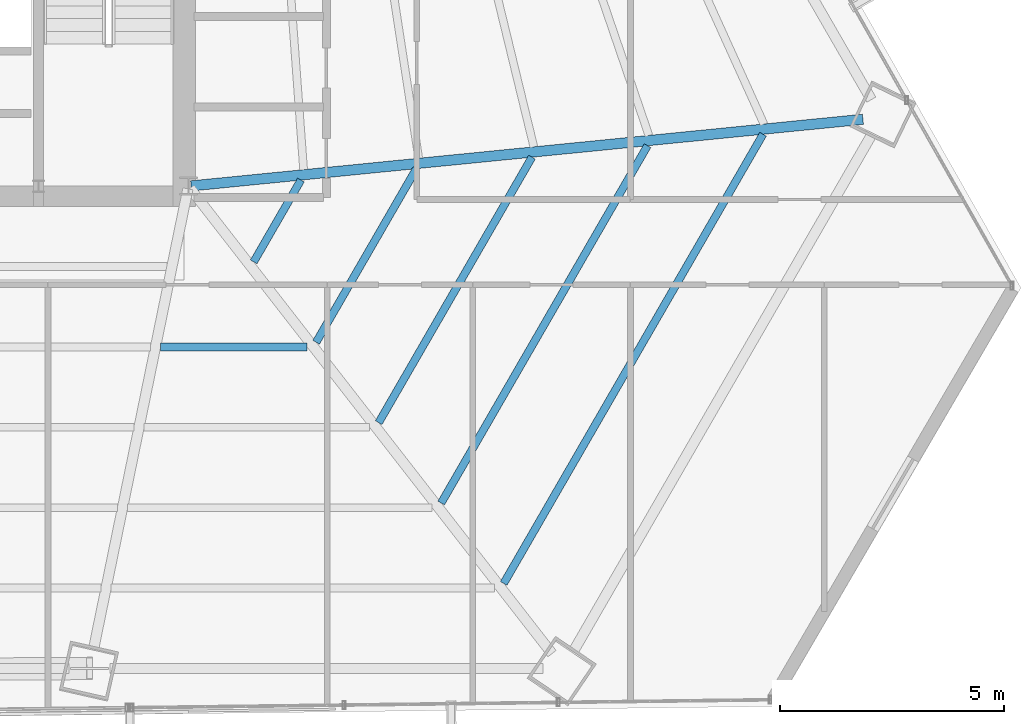
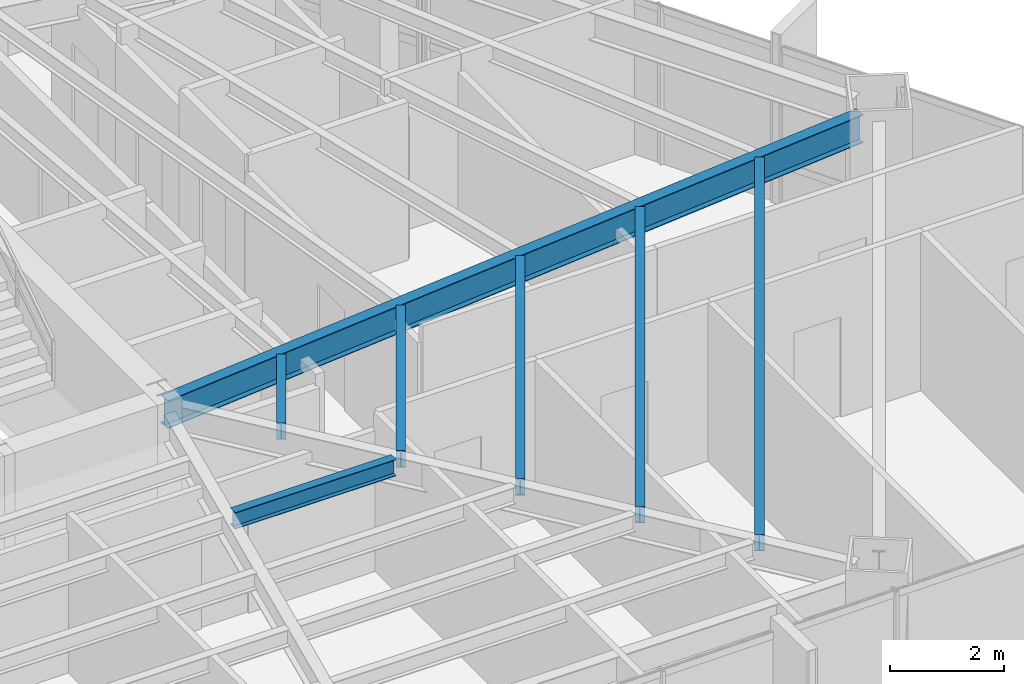
# One storey, part 19 of 37: 7 beams.
"""IFC4 building model written with IfcOpenShell, lengths in metres."""

import ifcopenshell
import ifcopenshell.guid

model = None  # the IFC model being written
_history = None  # IfcOwnerHistory: only IFC2X3 demands one
_inside = {}  # id of a spatial element -> (the spatial element, [elements in it])
_under = {}  # id of a project, library or spatial element -> (it, [spatial elements below it])
_declared = {}  # id of a project -> (the project, [libraries it declares])
_typed = {}  # id of a type object -> (the type object, [elements of that type])
_made_of = {}  # id of a material, layer set ... -> (it, [elements and type objects made of it])


def new_model(schema):
    """Start an empty IFC model of exactly this schema.

    Asked for "IFC4X3", IfcOpenShell would pick the latest addendum, in which some entities
    have other attributes; the version numbers below select the first issue.
    IFC2X3 requires an IfcOwnerHistory on every rooted entity: one is made here for all.
    """
    global model, _history
    if schema == "IFC4X3":
        model = ifcopenshell.file(schema_version=(4, 3, 0, 0))
    else:
        model = ifcopenshell.file(schema=schema)
    _inside.clear()
    _under.clear()
    _declared.clear()
    _typed.clear()
    _made_of.clear()
    _history = None
    if model.schema == "IFC2X3":
        org = make("IfcOrganization", Name="unknown")
        user = make(
            "IfcPersonAndOrganization",
            ThePerson=make("IfcPerson", FamilyName="unknown"),
            TheOrganization=org,
        )
        app = make(
            "IfcApplication",
            ApplicationDeveloper=org,
            Version="unknown",
            ApplicationFullName="unknown",
            ApplicationIdentifier="unknown",
        )
        _history = make(
            "IfcOwnerHistory",
            OwningUser=user,
            OwningApplication=app,
            ChangeAction="ADDED",
            CreationDate=0,
        )
    return model


def make(cls, **values):
    """One entity of the class cls with the attributes given. An attribute that is None is left unset."""
    return model.create_entity(
        cls, **{name: value for name, value in values.items() if value is not None}
    )


def rooted(cls, **values):
    """An entity with a GlobalId (a new one), such as an element, a storey or a relation."""
    return make(cls, GlobalId=ifcopenshell.guid.new(), OwnerHistory=_history, **values)


def si_unit(unit_type, name, prefix=None):
    """IfcSIUnit, for example si_unit("LENGTHUNIT", "METRE", prefix="MILLI")."""
    return make("IfcSIUnit", UnitType=unit_type, Prefix=prefix, Name=name)


def assignment(units):
    """IfcUnitAssignment: the units of a project."""
    return None if units is None else make("IfcUnitAssignment", Units=units)


def point(xyz):
    """IfcCartesianPoint."""
    return None if xyz is None else make("IfcCartesianPoint", Coordinates=xyz)


def direction(xyz):
    """IfcDirection."""
    return None if xyz is None else make("IfcDirection", DirectionRatios=xyz)


def frame(location, z_axis=None, x_axis=None):
    """IfcAxis2Placement3D, a coordinate frame: its origin and axes. An axis left out is left unset."""
    return make(
        "IfcAxis2Placement3D",
        Location=point(location),
        Axis=direction(z_axis),
        RefDirection=direction(x_axis),
    )


def frame_2d(location, x_axis=None):
    """IfcAxis2Placement2D, a coordinate frame in the plane: its origin and x axis."""
    return make(
        "IfcAxis2Placement2D", Location=point(location), RefDirection=direction(x_axis)
    )


def origin():
    """The frame at (0, 0, 0) with its axes left unset."""
    return frame((0.0, 0.0, 0.0))


def origin_2d():
    """The frame at (0, 0) in the plane with its x axis left unset."""
    return frame_2d((0.0, 0.0))


def place(relative_to, where):
    """IfcLocalPlacement: puts the frame where relative to a parent placement (None: the world)."""
    return make(
        "IfcLocalPlacement", PlacementRelTo=relative_to, RelativePlacement=where
    )


def context(
    kind, dimensions, precision=None, world=None, true_north=None, identifier=None
):
    """IfcGeometricRepresentationContext, for example the 3D "Model" context."""
    return make(
        "IfcGeometricRepresentationContext",
        ContextIdentifier=identifier,
        ContextType=kind,
        CoordinateSpaceDimension=dimensions,
        Precision=precision,
        WorldCoordinateSystem=world,
        TrueNorth=true_north,
    )


def subcontext(parent, identifier, kind, view, scale=None):
    """IfcGeometricRepresentationSubContext, for example "Body" below "Model"."""
    return make(
        "IfcGeometricRepresentationSubContext",
        ContextIdentifier=identifier,
        ContextType=kind,
        ParentContext=parent,
        TargetScale=scale,
        TargetView=view,
    )


def project(units=None, contexts=None):
    """IfcProject with its units and contexts."""
    return rooted(
        "IfcProject",
        Name="project",
        RepresentationContexts=contexts,
        UnitsInContext=assignment(units),
    )


def spatial(cls, under=None, at=None, **own):
    """A site, building, storey or space (cls), placed at a placement, below another one or the project."""
    s = rooted(cls, ObjectPlacement=at, **own)
    if under is not None:
        _under.setdefault(under.id(), (under, []))[1].append(s)
    return s


def profile(cls, at=None, kind="AREA", **sizes):
    """A parametric profile (cls). Its sizes go by their IFC names, for example OverallWidth=200.0."""
    return make(cls, ProfileType=kind, Position=at, **sizes)


def i_section(**sizes):
    """IfcIShapeProfileDef."""
    return profile("IfcIShapeProfileDef", **sizes)


def extrude(swept, where, along, depth):
    """IfcExtrudedAreaSolid: the profile swept, set in the frame where, extruded along a direction by depth."""
    return make(
        "IfcExtrudedAreaSolid",
        SweptArea=swept,
        Position=where,
        ExtrudedDirection=direction(along),
        Depth=depth,
    )


def shape(context_of_items, identifier, shape_type, items):
    """IfcShapeRepresentation: the items that make up one representation, for example the "Body"."""
    return make(
        "IfcShapeRepresentation",
        ContextOfItems=context_of_items,
        RepresentationIdentifier=identifier,
        RepresentationType=shape_type,
        Items=items,
    )


def source(mapping_origin, context_of_items, identifier, shape_type, items):
    """IfcRepresentationMap: a shape defined once, which mapped items show again and again."""
    return make(
        "IfcRepresentationMap",
        MappingOrigin=mapping_origin,
        MappedRepresentation=shape(context_of_items, identifier, shape_type, items),
    )


def transform(
    local_origin,
    x_axis=None,
    y_axis=None,
    z_axis=None,
    scale=None,
    scale2=None,
    scale3=None,
    uniform=True,
):
    """IfcCartesianTransformationOperator3D, or its non-uniform kind. x_axis, y_axis, z_axis: its Axis1, 2, 3."""
    if uniform:
        return make(
            "IfcCartesianTransformationOperator3D",
            Axis1=direction(x_axis),
            Axis2=direction(y_axis),
            LocalOrigin=point(local_origin),
            Scale=scale,
            Axis3=direction(z_axis),
        )
    return make(
        "IfcCartesianTransformationOperator3DnonUniform",
        Axis1=direction(x_axis),
        Axis2=direction(y_axis),
        LocalOrigin=point(local_origin),
        Scale=scale,
        Axis3=direction(z_axis),
        Scale2=scale2,
        Scale3=scale3,
    )


def mapped(mapping_source, mapping_target):
    """IfcMappedItem: shows the shape of a source again, moved by a transform."""
    return make(
        "IfcMappedItem", MappingSource=mapping_source, MappingTarget=mapping_target
    )


def material(Name=None, Category=None):
    """IfcMaterial."""
    return make("IfcMaterial", Name=Name, Category=Category)


def material_profile(
    of_material, cross_section, Name=None, Category=None, Priority=None
):
    """IfcMaterialProfile: a cross section and its material."""
    return make(
        "IfcMaterialProfile",
        Name=Name,
        Material=of_material,
        Profile=cross_section,
        Priority=Priority,
        Category=Category,
    )


def profile_set(profiles, Name=None, composite=None):
    """IfcMaterialProfileSet."""
    return make(
        "IfcMaterialProfileSet",
        Name=Name,
        MaterialProfiles=profiles,
        CompositeProfile=composite,
    )


def made_of(thing, what):
    """Note that an element or type object is made of a material, layer set ...; save() writes the relation."""
    if what is not None:
        _made_of.setdefault(what.id(), (what, []))[1].append(thing)
    return thing


def type_object(cls, material=None, **own):
    """A type object (cls), such as IfcWallType, which elements share."""
    return made_of(rooted(cls, **own), material)


def type_shapes(of_type, sources):
    """Give a type object the sources (RepresentationMaps) that its elements show as mapped items."""
    of_type.RepresentationMaps = sources


def element(
    cls,
    number,
    at=None,
    inside=None,
    cuts=None,
    type_object=None,
    material=None,
    context=None,
    identifier="Body",
    shape_type=None,
    held_by="IfcProductDefinitionShape",
    body=None,
    shapes=None,
    **own,
):
    """One element of the class cls, such as IfcWall. Its Tag is "e" and its number.

    at: its placement. inside: the storey or other place that contains it. cuts: it is an
    opening in that element (IfcRelVoidsElement). A single representation is given by context,
    identifier, shape_type and body (its items); several are given by shapes. held_by: the class
    of the entity that holds the representations. save() writes the other relations.
    """
    e = rooted(cls, Tag="e%d" % number, ObjectPlacement=at, **own)
    if body is not None:
        shapes = [shape(context, identifier, shape_type, body)]
    if shapes is not None:
        e.Representation = make(held_by, Representations=shapes)
    if inside is not None:
        _inside.setdefault(inside.id(), (inside, []))[1].append(e)
    if cuts is not None:
        rooted(
            "IfcRelVoidsElement", RelatingBuildingElement=cuts, RelatedOpeningElement=e
        )
    if type_object is not None:
        _typed.setdefault(type_object.id(), (type_object, []))[1].append(e)
    return made_of(e, material)


def aggregate(whole, parts):
    """IfcRelAggregates: a whole, such as a stair, and the parts it consists of."""
    return rooted("IfcRelAggregates", RelatingObject=whole, RelatedObjects=parts)


def save(model, path):
    """Write the relations noted so far, then the file.

    IfcRelAggregates (storeys below a building ...), IfcRelContainedInSpatialStructure (elements
    in a storey), IfcRelDefinesByType, IfcRelAssociatesMaterial and IfcRelDeclares: one each for
    every whole, place, type object, material and project.
    """
    for whole, parts in _under.values():
        aggregate(whole, parts)
    for where, things in _inside.values():
        rooted(
            "IfcRelContainedInSpatialStructure",
            RelatedElements=things,
            RelatingStructure=where,
        )
    for kind, things in _typed.values():
        rooted("IfcRelDefinesByType", RelatedObjects=things, RelatingType=kind)
    for what, things in _made_of.values():
        rooted("IfcRelAssociatesMaterial", RelatedObjects=things, RelatingMaterial=what)
    for by, libraries in _declared.values():
        rooted("IfcRelDeclares", RelatingContext=by, RelatedDefinitions=libraries)
    model.write(path)


model = new_model("IFC4")

# Units and contexts
model_context = context("Model", 3, precision=1e-05, world=origin(), true_north=direction((0.0, 1.0)))
body_context = subcontext(model_context, "Body", "Model", "MODEL_VIEW")
ifc_project = project(units=[si_unit("LENGTHUNIT", "METRE"), si_unit("AREAUNIT", "SQUARE_METRE"), si_unit("VOLUMEUNIT", "CUBIC_METRE"), si_unit("PLANEANGLEUNIT", "RADIAN"), si_unit("MASSUNIT", "GRAM", prefix="KILO")], contexts=[model_context])

# Site, building, storey
site_placement = place(None, origin())
site = spatial("IfcSite", under=ifc_project, at=site_placement, CompositionType="ELEMENT")
building_placement = place(site_placement, origin())
building = spatial("IfcBuilding", under=site, at=building_placement, Name="Caelisora Broadcast Tower", CompositionType="ELEMENT")
storey_placement = place(building_placement, frame((0.0, 0.0, 116.35009765625)))
storey = spatial("IfcBuildingStorey", under=building, at=storey_placement, Name="L30", CompositionType="ELEMENT", Elevation=116.35009765625)

# Beams
ifc_material = material(Name="Steel Grade 350 (AS/NZS 3679.1)", Category="steel")
ifc_material_profile_1 = material_profile(ifc_material, i_section(OverallWidth=0.22802734375, OverallDepth=0.602294921875, WebThickness=0.010498046875, FlangeThickness=0.014892578125, at=origin_2d()), Name="Steel Grade 350 (AS/NZS 3679.1)")
ifc_profile_set_1 = profile_set([ifc_material_profile_1], Name="Steel Grade 350 (AS/NZS 3679.1)")
beam_type_1 = type_object("IfcBeamType", Name="PG04", PredefinedType="BEAM", material=ifc_profile_set_1)
shared_shape_1 = source(origin(), body_context, "Body", "SweptSolid", [
    extrude(i_section(OverallWidth=0.22802734375, OverallDepth=0.602294921875, WebThickness=0.010498046875, FlangeThickness=0.014892578125, at=origin_2d()), origin(), (0.0, 0.0, 1.0), 15.076904296875),
])
type_shapes(beam_type_1, [shared_shape_1])
beam_1_placement = place(storey_placement, frame((45.559814453125, 17.406005859375, 3.098876953125), z_axis=(0.995119256463, 0.098679609934, 0.0), x_axis=(-0.098679609934, 0.995119256463, 0.0)))
element("IfcBeam", 1, at=beam_1_placement, inside=storey, type_object=beam_type_1, Name="L30 beam PG04", PredefinedType="BEAM", context=body_context, shape_type="MappedRepresentation", body=[
    mapped(shared_shape_1, transform((0.0, 0.0, 0.0), scale=1.0)),
])
ifc_material_profile_2 = material_profile(ifc_material, i_section(OverallWidth=0.172119140625, OverallDepth=0.358642578125, WebThickness=0.008056640625, FlangeThickness=0.012939453125, at=origin_2d()), Name="Steel Grade 350 (AS/NZS 3679.1)")
ifc_profile_set_2 = profile_set([ifc_material_profile_2], Name="Steel Grade 350 (AS/NZS 3679.1)")
beam_type_2 = type_object("IfcBeamType", Name="SB02", PredefinedType="JOIST", material=ifc_profile_set_2)
shared_shape_2 = source(origin(), body_context, "Body", "SweptSolid", [
    extrude(i_section(OverallWidth=0.172119140625, OverallDepth=0.358642578125, WebThickness=0.008056640625, FlangeThickness=0.012939453125, at=origin_2d()), origin(), (0.0, 0.0, 1.0), 2.11083984375),
])
beam_2_placement = place(storey_placement, frame((46.956298828125, 15.708984375, 3.220703125), z_axis=(0.499896002323, 0.866085438546, 0.0), x_axis=(-0.866085438546, 0.499896002323, 0.0)))
element("IfcBeam", 2, at=beam_2_placement, inside=storey, type_object=beam_type_2, Name="L30 beam SB02", PredefinedType="JOIST", context=body_context, shape_type="MappedRepresentation", body=[
    mapped(shared_shape_2, transform((0.0, 0.0, 0.0), scale=1.0)),
])
shared_shape_3 = source(origin(), body_context, "Body", "SweptSolid", [
    extrude(i_section(OverallWidth=0.172119140625, OverallDepth=0.358642578125, WebThickness=0.008056640625, FlangeThickness=0.012939453125, at=origin_2d()), origin(), (0.0, 0.0, 1.0), 4.478759765625),
])
beam_3_placement = place(storey_placement, frame((48.352294921875, 13.9140625, 3.220703125), z_axis=(0.500026012522, 0.866010384927, 0.0), x_axis=(-0.866010384927, 0.500026012522, 0.0)))
element("IfcBeam", 3, at=beam_3_placement, inside=storey, type_object=beam_type_2, Name="L30 beam SB02", PredefinedType="JOIST", context=body_context, shape_type="MappedRepresentation", body=[
    mapped(shared_shape_3, transform((0.0, 0.0, 0.0), scale=1.0)),
])
shared_shape_4 = source(origin(), body_context, "Body", "SweptSolid", [
    extrude(i_section(OverallWidth=0.172119140625, OverallDepth=0.358642578125, WebThickness=0.008056640625, FlangeThickness=0.012939453125, at=origin_2d()), origin(), (0.0, 0.0, 1.0), 6.8466796875),
])
beam_4_placement = place(storey_placement, frame((49.74853515625, 12.119140625, 3.220703125), z_axis=(0.499997165508, 0.866027040273, 0.0), x_axis=(-0.866027040273, 0.499997165508, 0.0)))
element("IfcBeam", 4, at=beam_4_placement, inside=storey, type_object=beam_type_2, Name="L30 beam SB02", PredefinedType="JOIST", context=body_context, shape_type="MappedRepresentation", body=[
    mapped(shared_shape_4, transform((0.0, 0.0, 0.0), scale=1.0)),
])
shared_shape_5 = source(origin(), body_context, "Body", "SweptSolid", [
    extrude(i_section(OverallWidth=0.172119140625, OverallDepth=0.358642578125, WebThickness=0.008056640625, FlangeThickness=0.012939453125, at=origin_2d()), origin(), (0.0, 0.0, 1.0), 9.215087890625),
])
beam_5_placement = place(storey_placement, frame((51.14453125, 10.32421875, 3.220703125), z_axis=(0.500011413361, 0.866018814177, 0.0), x_axis=(-0.866018814177, 0.500011413361, 0.0)))
element("IfcBeam", 5, at=beam_5_placement, inside=storey, type_object=beam_type_2, Name="L30 beam SB02", PredefinedType="JOIST", context=body_context, shape_type="MappedRepresentation", body=[
    mapped(shared_shape_5, transform((0.0, 0.0, 0.0), scale=1.0)),
])
shared_shape_6 = source(origin(), body_context, "Body", "SweptSolid", [
    extrude(i_section(OverallWidth=0.172119140625, OverallDepth=0.358642578125, WebThickness=0.008056640625, FlangeThickness=0.012939453125, at=origin_2d()), origin(), (0.0, 0.0, 1.0), 11.582763671875),
])
beam_6_placement = place(storey_placement, frame((52.540771484375, 8.529296875, 3.220703125), z_axis=(0.50000647333, 0.866021666373, 0.0), x_axis=(-0.866021666373, 0.50000647333, 0.0)))
element("IfcBeam", 6, at=beam_6_placement, inside=storey, type_object=beam_type_2, Name="L30 beam SB02", PredefinedType="JOIST", context=body_context, shape_type="MappedRepresentation", body=[
    mapped(shared_shape_6, transform((0.0, 0.0, 0.0), scale=1.0)),
])
shared_shape_7 = source(origin(), body_context, "Body", "SweptSolid", [
    extrude(i_section(OverallWidth=0.172119140625, OverallDepth=0.358642578125, WebThickness=0.008056640625, FlangeThickness=0.012939453125, at=origin_2d()), origin(), (0.0, 0.0, 1.0), 3.2734375),
])
type_shapes(beam_type_2, [shared_shape_2, shared_shape_3, shared_shape_4, shared_shape_5, shared_shape_6, shared_shape_7])
beam_7_placement = place(storey_placement, frame((44.87744140625, 13.81005859375, 3.220703125), z_axis=(1.0, 0.0, 0.0), x_axis=(0.0, 1.0, 0.0)))
element("IfcBeam", 7, at=beam_7_placement, inside=storey, type_object=beam_type_2, Name="L30 beam SB02", PredefinedType="JOIST", context=body_context, shape_type="MappedRepresentation", body=[
    mapped(shared_shape_7, transform((0.0, 0.0, 0.0), scale=1.0)),
])

save(model, "model.ifc")
